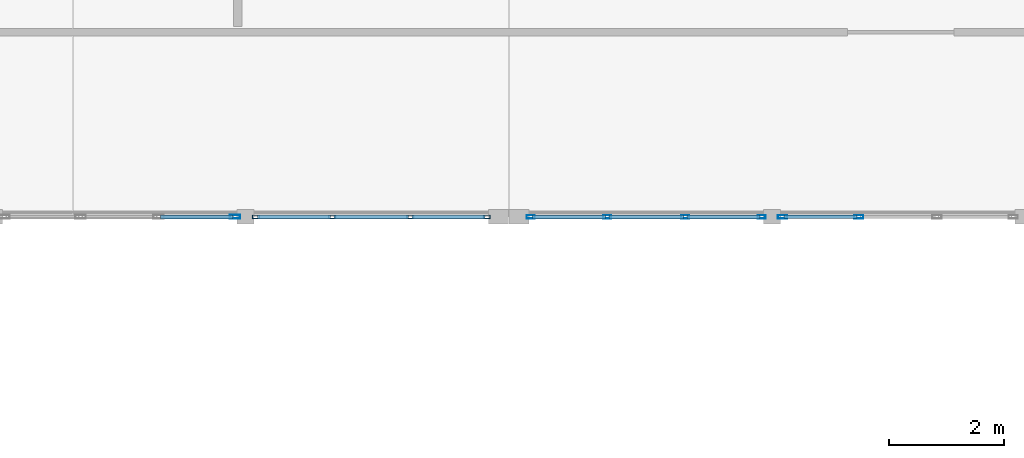
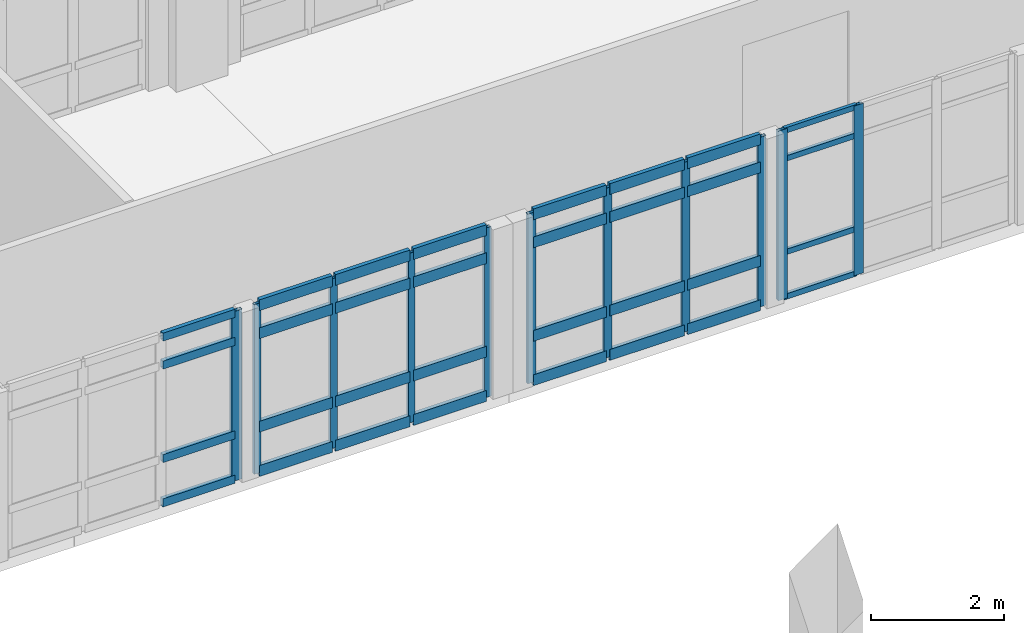
# One storey, part 14 of 37: 43 members, 4 elements without a shape of their own.
"""IFC4 building model written with IfcOpenShell, lengths in metres."""

from ifc_helpers import new_model, si_unit, direction, frame, origin, origin_2d, place, context, subcontext, project, spatial, hollow_rectangle, extrude, material, layer, layer_set, material_profile, profile_set, type_object, element, aggregate, save


model = new_model("IFC4")

# Units and contexts
model_context = context("Model", 3, precision=1e-05, world=origin(), true_north=direction((0.0, 1.0)))
body_context = subcontext(model_context, "Body", "Model", "MODEL_VIEW")
ifc_project = project(units=[si_unit("LENGTHUNIT", "METRE"), si_unit("AREAUNIT", "SQUARE_METRE"), si_unit("VOLUMEUNIT", "CUBIC_METRE"), si_unit("PLANEANGLEUNIT", "RADIAN"), si_unit("MASSUNIT", "GRAM", prefix="KILO")], contexts=[model_context])

# Site, building, storey
site_placement = place(None, origin())
site = spatial("IfcSite", under=ifc_project, at=site_placement, CompositionType="ELEMENT")
building_placement = place(site_placement, origin())
building = spatial("IfcBuilding", under=site, at=building_placement, Name="Fikremerkos Civic Library", CompositionType="ELEMENT")
storey_placement = place(building_placement, frame((0.0, 0.0, 23.39990234375)))
storey = spatial("IfcBuildingStorey", under=building, at=storey_placement, Name="L05", CompositionType="ELEMENT", Elevation=23.39990234375)

# Curtain wall, member
ifc_material = material(Name="Anodized aluminium Frame", Category="aluminium")
ifc_layer_1 = layer(ifc_material, 0.159912109375, Name="Anodized aluminium Frame")
ifc_layer_set_1 = layer_set([ifc_layer_1], Name="Anodized aluminium Frame")
curtain_wall_type_1 = type_object("IfcCurtainWallType", Name="Unitised curtain wall CW-17 4600x3600", PredefinedType="USERDEFINED", material=ifc_layer_set_1)
curtain_wall_1_placement = place(storey_placement, origin())
curtain_wall_1 = element("IfcCurtainWall", 1, at=curtain_wall_1_placement, inside=storey, type_object=curtain_wall_type_1, Name="Unitised curtain wall CW-17 L05 #287", ObjectType="UNITISED CURTAIN WALL", PredefinedType="USERDEFINED")
ifc_material_profile_1 = material_profile(ifc_material, hollow_rectangle(XDim=0.06494140625, YDim=0.179931640625, WallThickness=0.00439453125, at=origin_2d()), Name="ALU 180x65x4.5")
ifc_profile_set_1 = profile_set([ifc_material_profile_1], Name="Anodized aluminium Frame")
member_type_1 = type_object("IfcMemberType", Name="Curtain mullion CWM-01 ALU 180x65x4.5", PredefinedType="MULLION", material=ifc_profile_set_1)
member_1_placement = place(storey_placement, frame((81.9501953125, 21.60009765625, 0.0), z_axis=(0.0, 0.0, 1.0), x_axis=(0.0, -1.0, 0.0)))
member_1 = element("IfcMember", 2, at=member_1_placement, type_object=member_type_1, Name="CW-17 mullion 1", PredefinedType="MULLION", context=body_context, shape_type="SweptSolid", body=[
    extrude(hollow_rectangle(XDim=0.06494140625, YDim=0.179931640625, WallThickness=0.00439453125, at=origin_2d()), origin(), (0.0, 0.0, 1.0), 3.1201171875),
])

# Curtain wall, members
ifc_layer_2 = layer(ifc_material, 0.159912109375, Name="Anodized aluminium Frame")
ifc_layer_set_2 = layer_set([ifc_layer_2], Name="Anodized aluminium Frame")
curtain_wall_type_2 = type_object("IfcCurtainWallType", Name="Unitised curtain wall CW-14 4100x3200", PredefinedType="USERDEFINED", material=ifc_layer_set_2)
curtain_wall_2_placement = place(storey_placement, origin())
curtain_wall_2 = element("IfcCurtainWall", 3, at=curtain_wall_2_placement, inside=storey, type_object=curtain_wall_type_2, Name="Unitised curtain wall CW-14 L05 #284", ObjectType="UNITISED CURTAIN WALL", PredefinedType="USERDEFINED")
ifc_material_profile_2 = material_profile(ifc_material, hollow_rectangle(XDim=0.06005859375, YDim=0.159912109375, WallThickness=0.00390625, at=origin_2d()), Name="ALU 160x60x4")
ifc_profile_set_2 = profile_set([ifc_material_profile_2], Name="Anodized aluminium Frame")
member_type_2 = type_object("IfcMemberType", Name="Curtain mullion CWM-02 ALU 160x60x4", PredefinedType="MULLION", material=ifc_profile_set_2)
member_2_placement = place(storey_placement, frame((92.7724609375, 21.60009765625, 0.0), z_axis=(0.0, 0.0, 1.0), x_axis=(0.0, -1.0, 0.0)))
member_2 = element("IfcMember", 4, at=member_2_placement, type_object=member_type_2, Name="CW-14 mullion 3", PredefinedType="MULLION", context=body_context, shape_type="SweptSolid", body=[
    extrude(hollow_rectangle(XDim=0.06005859375, YDim=0.159912109375, WallThickness=0.00390625, at=origin_2d()), origin(), (0.0, 0.0, 1.0), 3.1201171875),
])
member_3_placement = place(storey_placement, frame((91.447265625, 21.60009765625, 0.0), z_axis=(0.0, 0.0, 1.0), x_axis=(0.0, -1.0, 0.0)))
member_3 = element("IfcMember", 5, at=member_3_placement, type_object=member_type_2, Name="CW-14 mullion 4", PredefinedType="MULLION", context=body_context, shape_type="SweptSolid", body=[
    extrude(hollow_rectangle(XDim=0.06005859375, YDim=0.159912109375, WallThickness=0.00390625, at=origin_2d()), origin(), (0.0, 0.0, 1.0), 3.1201171875),
])

ifc_layer_3 = layer(ifc_material, 0.159912109375, Name="Anodized aluminium Frame")
ifc_layer_set_3 = layer_set([ifc_layer_3], Name="Anodized aluminium Frame")
curtain_wall_type_3 = type_object("IfcCurtainWallType", Name="Unitised curtain wall CW-15 2900x3600", PredefinedType="USERDEFINED", material=ifc_layer_set_3)
curtain_wall_3_placement = place(storey_placement, origin())
curtain_wall_3 = element("IfcCurtainWall", 6, at=curtain_wall_3_placement, inside=storey, type_object=curtain_wall_type_3, Name="Unitised curtain wall CW-15 L05 #285", ObjectType="UNITISED CURTAIN WALL", PredefinedType="USERDEFINED")
ifc_material_profile_3 = material_profile(ifc_material, hollow_rectangle(XDim=0.06005859375, YDim=0.139892578125, WallThickness=0.00390625, at=origin_2d()), Name="ALU 140x60x4")
ifc_profile_set_3 = profile_set([ifc_material_profile_3], Name="Anodized aluminium Frame")
member_type_3 = type_object("IfcMemberType", Name="Curtain mullion CWM-03 ALU 140x60x4", PredefinedType="MULLION", material=ifc_profile_set_3)
member_4_placement = place(storey_placement, frame((91.08740234375, 21.60009765625, 0.0), z_axis=(0.0, 0.0, 1.0), x_axis=(0.0, -1.0, 0.0)))
member_4 = element("IfcMember", 7, at=member_4_placement, type_object=member_type_3, Name="CW-15 mullion 1", PredefinedType="MULLION", context=body_context, shape_type="SweptSolid", body=[
    extrude(hollow_rectangle(XDim=0.06005859375, YDim=0.139892578125, WallThickness=0.00390625, at=origin_2d()), origin(), (0.0, 0.0, 1.0), 3.1201171875),
])
member_5_placement = place(storey_placement, frame((89.76220703125, 21.60009765625, 0.0), z_axis=(0.0, 0.0, 1.0), x_axis=(0.0, -1.0, 0.0)))
member_5 = element("IfcMember", 8, at=member_5_placement, type_object=member_type_3, Name="CW-15 mullion 2", PredefinedType="MULLION", context=body_context, shape_type="SweptSolid", body=[
    extrude(hollow_rectangle(XDim=0.06005859375, YDim=0.139892578125, WallThickness=0.00390625, at=origin_2d()), origin(), (0.0, 0.0, 1.0), 3.1201171875),
])
member_6_placement = place(storey_placement, frame((88.4072265625, 21.60009765625, 0.0), z_axis=(0.0, 0.0, 1.0), x_axis=(0.0, -1.0, 0.0)))
member_6 = element("IfcMember", 9, at=member_6_placement, type_object=member_type_3, Name="CW-15 mullion 3", PredefinedType="MULLION", context=body_context, shape_type="SweptSolid", body=[
    extrude(hollow_rectangle(XDim=0.06005859375, YDim=0.139892578125, WallThickness=0.00390625, at=origin_2d()), origin(), (0.0, 0.0, 1.0), 3.1201171875),
])
member_7_placement = place(storey_placement, frame((87.08203125, 21.60009765625, 0.0), z_axis=(0.0, 0.0, 1.0), x_axis=(0.0, -1.0, 0.0)))
member_7 = element("IfcMember", 10, at=member_7_placement, type_object=member_type_3, Name="CW-15 mullion 4", PredefinedType="MULLION", context=body_context, shape_type="SweptSolid", body=[
    extrude(hollow_rectangle(XDim=0.06005859375, YDim=0.139892578125, WallThickness=0.00390625, at=origin_2d()), origin(), (0.0, 0.0, 1.0), 3.1201171875),
])

ifc_layer_4 = layer(ifc_material, 0.159912109375, Name="Anodized aluminium Frame")
ifc_layer_set_4 = layer_set([ifc_layer_4], Name="Anodized aluminium Frame")
curtain_wall_type_4 = type_object("IfcCurtainWallType", Name="Unitised curtain wall CW-16 3100x4100", PredefinedType="USERDEFINED", material=ifc_layer_set_4)
curtain_wall_4_placement = place(storey_placement, origin())
curtain_wall_4 = element("IfcCurtainWall", 11, at=curtain_wall_4_placement, inside=storey, type_object=curtain_wall_type_4, Name="Unitised curtain wall CW-16 L05 #286", ObjectType="UNITISED CURTAIN WALL", PredefinedType="USERDEFINED")
ifc_material_profile_4 = material_profile(ifc_material, hollow_rectangle(XDim=0.06005859375, YDim=0.1201171875, WallThickness=0.00390625, at=origin_2d()), Name="ALU 120x60x4")
ifc_profile_set_4 = profile_set([ifc_material_profile_4], Name="Anodized aluminium Frame")
member_type_4 = type_object("IfcMemberType", Name="Curtain mullion CWM-04 ALU 120x60x4", PredefinedType="MULLION", material=ifc_profile_set_4)
member_8_placement = place(storey_placement, frame((86.318115234375, 21.60009765625, 0.0), z_axis=(0.0, 0.0, 1.0), x_axis=(0.0, -1.0, 0.0)))
member_8 = element("IfcMember", 12, at=member_8_placement, type_object=member_type_4, Name="CW-16 mullion 1", PredefinedType="MULLION", context=body_context, shape_type="SweptSolid", body=[
    extrude(hollow_rectangle(XDim=0.06005859375, YDim=0.1201171875, WallThickness=0.00390625, at=origin_2d()), origin(), (0.0, 0.0, 1.0), 3.1201171875),
])
member_9_placement = place(storey_placement, frame((84.992919921875, 21.60009765625, 0.0), z_axis=(0.0, 0.0, 1.0), x_axis=(0.0, -1.0, 0.0)))
member_9 = element("IfcMember", 13, at=member_9_placement, type_object=member_type_4, Name="CW-16 mullion 2", PredefinedType="MULLION", context=body_context, shape_type="SweptSolid", body=[
    extrude(hollow_rectangle(XDim=0.06005859375, YDim=0.1201171875, WallThickness=0.00390625, at=origin_2d()), origin(), (0.0, 0.0, 1.0), 3.1201171875),
])
member_10_placement = place(storey_placement, frame((83.6376953125, 21.60009765625, 0.0), z_axis=(0.0, 0.0, 1.0), x_axis=(0.0, -1.0, 0.0)))
member_10 = element("IfcMember", 14, at=member_10_placement, type_object=member_type_4, Name="CW-16 mullion 3", PredefinedType="MULLION", context=body_context, shape_type="SweptSolid", body=[
    extrude(hollow_rectangle(XDim=0.06005859375, YDim=0.1201171875, WallThickness=0.00390625, at=origin_2d()), origin(), (0.0, 0.0, 1.0), 3.1201171875),
])
member_11_placement = place(storey_placement, frame((82.312744140625, 21.60009765625, 0.0), z_axis=(0.0, 0.0, 1.0), x_axis=(0.0, -1.0, 0.0)))
member_11 = element("IfcMember", 15, at=member_11_placement, type_object=member_type_4, Name="CW-16 mullion 4", PredefinedType="MULLION", context=body_context, shape_type="SweptSolid", body=[
    extrude(hollow_rectangle(XDim=0.06005859375, YDim=0.1201171875, WallThickness=0.00390625, at=origin_2d()), origin(), (0.0, 0.0, 1.0), 3.1201171875),
])

# Member
ifc_material_profile_5 = material_profile(ifc_material, hollow_rectangle(XDim=0.070068359375, YDim=0.14990234375, WallThickness=0.00439453125, at=origin_2d()), Name="ALU 150x70x4.5")
ifc_profile_set_5 = profile_set([ifc_material_profile_5], Name="Anodized aluminium Frame")
member_type_5 = type_object("IfcMemberType", Name="Curtain transom CWT-01 ALU 150x70x4.5", PredefinedType="USERDEFINED", material=ifc_profile_set_5)
member_12_placement = place(storey_placement, frame((81.917724609375, 21.60009765625, 0.03515625), z_axis=(-1.0, 0.0, 0.0), x_axis=(0.0, -1.0, 0.0)))
member_12 = element("IfcMember", 16, at=member_12_placement, type_object=member_type_5, Name="CW-17 transom 1.1", ObjectType="TRANSOM", PredefinedType="USERDEFINED", context=body_context, shape_type="SweptSolid", body=[
    extrude(hollow_rectangle(XDim=0.070068359375, YDim=0.14990234375, WallThickness=0.00439453125, at=origin_2d()), origin(), (0.0, 0.0, 1.0), 1.257568359375),
])

member_13_placement = place(storey_placement, frame((81.917724609375, 21.60009765625, 0.85009765625), z_axis=(-1.0, 0.0, 0.0), x_axis=(0.0, -1.0, 0.0)))
member_13 = element("IfcMember", 17, at=member_13_placement, type_object=member_type_5, Name="CW-17 transom 1.2", ObjectType="TRANSOM", PredefinedType="USERDEFINED", context=body_context, shape_type="SweptSolid", body=[
    extrude(hollow_rectangle(XDim=0.070068359375, YDim=0.14990234375, WallThickness=0.00439453125, at=origin_2d()), origin(), (0.0, 0.0, 1.0), 1.257568359375),
])

member_14_placement = place(storey_placement, frame((81.917724609375, 21.60009765625, 2.570068359375), z_axis=(-1.0, 0.0, 0.0), x_axis=(0.0, -1.0, 0.0)))
member_14 = element("IfcMember", 18, at=member_14_placement, type_object=member_type_5, Name="CW-17 transom 1.3", ObjectType="TRANSOM", PredefinedType="USERDEFINED", context=body_context, shape_type="SweptSolid", body=[
    extrude(hollow_rectangle(XDim=0.070068359375, YDim=0.14990234375, WallThickness=0.00439453125, at=origin_2d()), origin(), (0.0, 0.0, 1.0), 1.257568359375),
])

member_15_placement = place(storey_placement, frame((81.917724609375, 21.60009765625, 3.085205078125), z_axis=(-1.0, 0.0, 0.0), x_axis=(0.0, -1.0, 0.0)))
member_15 = element("IfcMember", 19, at=member_15_placement, type_object=member_type_5, Name="CW-17 transom 1.4", ObjectType="TRANSOM", PredefinedType="USERDEFINED", context=body_context, shape_type="SweptSolid", body=[
    extrude(hollow_rectangle(XDim=0.070068359375, YDim=0.14990234375, WallThickness=0.00439453125, at=origin_2d()), origin(), (0.0, 0.0, 1.0), 1.257568359375),
])

aggregate(curtain_wall_1, [member_1, member_12, member_13, member_14, member_15])

ifc_material_profile_6 = material_profile(ifc_material, hollow_rectangle(XDim=0.06005859375, YDim=0.10009765625, WallThickness=0.00390625, at=origin_2d()), Name="ALU 100x60x4")
ifc_profile_set_6 = profile_set([ifc_material_profile_6], Name="Anodized aluminium Frame")
member_type_6 = type_object("IfcMemberType", Name="Curtain transom CWT-03 ALU 100x60x4", PredefinedType="USERDEFINED", material=ifc_profile_set_6)
member_16_placement = place(storey_placement, frame((92.742431640625, 21.60009765625, 0.030029296875), z_axis=(-1.0, 0.0, 0.0), x_axis=(0.0, -1.0, 0.0)))
member_16 = element("IfcMember", 20, at=member_16_placement, type_object=member_type_6, Name="CW-14 transom 3.1", ObjectType="TRANSOM", PredefinedType="USERDEFINED", context=body_context, shape_type="SweptSolid", body=[
    extrude(hollow_rectangle(XDim=0.06005859375, YDim=0.10009765625, WallThickness=0.00390625, at=origin_2d()), origin(), (0.0, 0.0, 1.0), 1.26513671875),
])

member_17_placement = place(storey_placement, frame((92.742431640625, 21.60009765625, 0.85009765625), z_axis=(-1.0, 0.0, 0.0), x_axis=(0.0, -1.0, 0.0)))
member_17 = element("IfcMember", 21, at=member_17_placement, type_object=member_type_6, Name="CW-14 transom 3.2", ObjectType="TRANSOM", PredefinedType="USERDEFINED", context=body_context, shape_type="SweptSolid", body=[
    extrude(hollow_rectangle(XDim=0.06005859375, YDim=0.10009765625, WallThickness=0.00390625, at=origin_2d()), origin(), (0.0, 0.0, 1.0), 1.26513671875),
])

member_18_placement = place(storey_placement, frame((92.742431640625, 21.60009765625, 2.570068359375), z_axis=(-1.0, 0.0, 0.0), x_axis=(0.0, -1.0, 0.0)))
member_18 = element("IfcMember", 22, at=member_18_placement, type_object=member_type_6, Name="CW-14 transom 3.3", ObjectType="TRANSOM", PredefinedType="USERDEFINED", context=body_context, shape_type="SweptSolid", body=[
    extrude(hollow_rectangle(XDim=0.06005859375, YDim=0.10009765625, WallThickness=0.00390625, at=origin_2d()), origin(), (0.0, 0.0, 1.0), 1.26513671875),
])

member_19_placement = place(storey_placement, frame((92.742431640625, 21.60009765625, 3.090087890625), z_axis=(-1.0, 0.0, 0.0), x_axis=(0.0, -1.0, 0.0)))
member_19 = element("IfcMember", 23, at=member_19_placement, type_object=member_type_6, Name="CW-14 transom 3.4", ObjectType="TRANSOM", PredefinedType="USERDEFINED", context=body_context, shape_type="SweptSolid", body=[
    extrude(hollow_rectangle(XDim=0.06005859375, YDim=0.10009765625, WallThickness=0.00390625, at=origin_2d()), origin(), (0.0, 0.0, 1.0), 1.26513671875),
])

aggregate(curtain_wall_2, [member_2, member_3, member_16, member_17, member_18, member_19])

ifc_material_profile_7 = material_profile(ifc_material, hollow_rectangle(XDim=0.070068359375, YDim=0.199951171875, WallThickness=0.0048828125, at=origin_2d()), Name="ALU 200x70x5")
ifc_profile_set_7 = profile_set([ifc_material_profile_7], Name="Anodized aluminium Frame")
member_type_7 = type_object("IfcMemberType", Name="Curtain transom CWT-04 ALU 200x70x5", PredefinedType="USERDEFINED", material=ifc_profile_set_7)
member_20_placement = place(storey_placement, frame((91.057373046875, 21.60009765625, 0.03515625), z_axis=(-1.0, 0.0, 0.0), x_axis=(0.0, -1.0, 0.0)))
member_20 = element("IfcMember", 24, at=member_20_placement, type_object=member_type_7, Name="CW-15 transom 1.1", ObjectType="TRANSOM", PredefinedType="USERDEFINED", context=body_context, shape_type="SweptSolid", body=[
    extrude(hollow_rectangle(XDim=0.070068359375, YDim=0.199951171875, WallThickness=0.0048828125, at=origin_2d()), origin(), (0.0, 0.0, 1.0), 1.26513671875),
])

member_21_placement = place(storey_placement, frame((91.057373046875, 21.60009765625, 0.85009765625), z_axis=(-1.0, 0.0, 0.0), x_axis=(0.0, -1.0, 0.0)))
member_21 = element("IfcMember", 25, at=member_21_placement, type_object=member_type_7, Name="CW-15 transom 1.2", ObjectType="TRANSOM", PredefinedType="USERDEFINED", context=body_context, shape_type="SweptSolid", body=[
    extrude(hollow_rectangle(XDim=0.070068359375, YDim=0.199951171875, WallThickness=0.0048828125, at=origin_2d()), origin(), (0.0, 0.0, 1.0), 1.26513671875),
])

member_22_placement = place(storey_placement, frame((91.057373046875, 21.60009765625, 2.570068359375), z_axis=(-1.0, 0.0, 0.0), x_axis=(0.0, -1.0, 0.0)))
member_22 = element("IfcMember", 26, at=member_22_placement, type_object=member_type_7, Name="CW-15 transom 1.3", ObjectType="TRANSOM", PredefinedType="USERDEFINED", context=body_context, shape_type="SweptSolid", body=[
    extrude(hollow_rectangle(XDim=0.070068359375, YDim=0.199951171875, WallThickness=0.0048828125, at=origin_2d()), origin(), (0.0, 0.0, 1.0), 1.26513671875),
])

member_23_placement = place(storey_placement, frame((91.057373046875, 21.60009765625, 3.085205078125), z_axis=(-1.0, 0.0, 0.0), x_axis=(0.0, -1.0, 0.0)))
member_23 = element("IfcMember", 27, at=member_23_placement, type_object=member_type_7, Name="CW-15 transom 1.4", ObjectType="TRANSOM", PredefinedType="USERDEFINED", context=body_context, shape_type="SweptSolid", body=[
    extrude(hollow_rectangle(XDim=0.070068359375, YDim=0.199951171875, WallThickness=0.0048828125, at=origin_2d()), origin(), (0.0, 0.0, 1.0), 1.26513671875),
])

member_24_placement = place(storey_placement, frame((89.732177734375, 21.60009765625, 0.03515625), z_axis=(-1.0, 0.0, 0.0), x_axis=(0.0, -1.0, 0.0)))
member_24 = element("IfcMember", 28, at=member_24_placement, type_object=member_type_7, Name="CW-15 transom 2.1", ObjectType="TRANSOM", PredefinedType="USERDEFINED", context=body_context, shape_type="SweptSolid", body=[
    extrude(hollow_rectangle(XDim=0.070068359375, YDim=0.199951171875, WallThickness=0.0048828125, at=origin_2d()), origin(), (0.0, 0.0, 1.0), 1.295166015625),
])

member_25_placement = place(storey_placement, frame((89.732177734375, 21.60009765625, 0.85009765625), z_axis=(-1.0, 0.0, 0.0), x_axis=(0.0, -1.0, 0.0)))
member_25 = element("IfcMember", 29, at=member_25_placement, type_object=member_type_7, Name="CW-15 transom 2.2", ObjectType="TRANSOM", PredefinedType="USERDEFINED", context=body_context, shape_type="SweptSolid", body=[
    extrude(hollow_rectangle(XDim=0.070068359375, YDim=0.199951171875, WallThickness=0.0048828125, at=origin_2d()), origin(), (0.0, 0.0, 1.0), 1.295166015625),
])

member_26_placement = place(storey_placement, frame((89.732177734375, 21.60009765625, 2.570068359375), z_axis=(-1.0, 0.0, 0.0), x_axis=(0.0, -1.0, 0.0)))
member_26 = element("IfcMember", 30, at=member_26_placement, type_object=member_type_7, Name="CW-15 transom 2.3", ObjectType="TRANSOM", PredefinedType="USERDEFINED", context=body_context, shape_type="SweptSolid", body=[
    extrude(hollow_rectangle(XDim=0.070068359375, YDim=0.199951171875, WallThickness=0.0048828125, at=origin_2d()), origin(), (0.0, 0.0, 1.0), 1.295166015625),
])

member_27_placement = place(storey_placement, frame((89.732177734375, 21.60009765625, 3.085205078125), z_axis=(-1.0, 0.0, 0.0), x_axis=(0.0, -1.0, 0.0)))
member_27 = element("IfcMember", 31, at=member_27_placement, type_object=member_type_7, Name="CW-15 transom 2.4", ObjectType="TRANSOM", PredefinedType="USERDEFINED", context=body_context, shape_type="SweptSolid", body=[
    extrude(hollow_rectangle(XDim=0.070068359375, YDim=0.199951171875, WallThickness=0.0048828125, at=origin_2d()), origin(), (0.0, 0.0, 1.0), 1.295166015625),
])

member_28_placement = place(storey_placement, frame((88.377197265625, 21.60009765625, 0.03515625), z_axis=(-1.0, 0.0, 0.0), x_axis=(0.0, -1.0, 0.0)))
member_28 = element("IfcMember", 32, at=member_28_placement, type_object=member_type_7, Name="CW-15 transom 3.1", ObjectType="TRANSOM", PredefinedType="USERDEFINED", context=body_context, shape_type="SweptSolid", body=[
    extrude(hollow_rectangle(XDim=0.070068359375, YDim=0.199951171875, WallThickness=0.0048828125, at=origin_2d()), origin(), (0.0, 0.0, 1.0), 1.26513671875),
])

member_29_placement = place(storey_placement, frame((88.377197265625, 21.60009765625, 0.85009765625), z_axis=(-1.0, 0.0, 0.0), x_axis=(0.0, -1.0, 0.0)))
member_29 = element("IfcMember", 33, at=member_29_placement, type_object=member_type_7, Name="CW-15 transom 3.2", ObjectType="TRANSOM", PredefinedType="USERDEFINED", context=body_context, shape_type="SweptSolid", body=[
    extrude(hollow_rectangle(XDim=0.070068359375, YDim=0.199951171875, WallThickness=0.0048828125, at=origin_2d()), origin(), (0.0, 0.0, 1.0), 1.26513671875),
])

member_30_placement = place(storey_placement, frame((88.377197265625, 21.60009765625, 2.570068359375), z_axis=(-1.0, 0.0, 0.0), x_axis=(0.0, -1.0, 0.0)))
member_30 = element("IfcMember", 34, at=member_30_placement, type_object=member_type_7, Name="CW-15 transom 3.3", ObjectType="TRANSOM", PredefinedType="USERDEFINED", context=body_context, shape_type="SweptSolid", body=[
    extrude(hollow_rectangle(XDim=0.070068359375, YDim=0.199951171875, WallThickness=0.0048828125, at=origin_2d()), origin(), (0.0, 0.0, 1.0), 1.26513671875),
])

member_31_placement = place(storey_placement, frame((88.377197265625, 21.60009765625, 3.085205078125), z_axis=(-1.0, 0.0, 0.0), x_axis=(0.0, -1.0, 0.0)))
member_31 = element("IfcMember", 35, at=member_31_placement, type_object=member_type_7, Name="CW-15 transom 3.4", ObjectType="TRANSOM", PredefinedType="USERDEFINED", context=body_context, shape_type="SweptSolid", body=[
    extrude(hollow_rectangle(XDim=0.070068359375, YDim=0.199951171875, WallThickness=0.0048828125, at=origin_2d()), origin(), (0.0, 0.0, 1.0), 1.26513671875),
])

aggregate(curtain_wall_3, [member_4, member_5, member_6, member_7, member_20, member_21, member_22, member_23, member_24, member_25, member_26, member_27, member_28, member_29, member_30, member_31])

member_32_placement = place(storey_placement, frame((86.2880859375, 21.60009765625, 0.03515625), z_axis=(-1.0, 0.0, 0.0), x_axis=(0.0, -1.0, 0.0)))
member_32 = element("IfcMember", 36, at=member_32_placement, type_object=member_type_7, Name="CW-16 transom 1.1", ObjectType="TRANSOM", PredefinedType="USERDEFINED", context=body_context, shape_type="SweptSolid", body=[
    extrude(hollow_rectangle(XDim=0.070068359375, YDim=0.199951171875, WallThickness=0.0048828125, at=origin_2d()), origin(), (0.0, 0.0, 1.0), 1.26513671875),
])

member_33_placement = place(storey_placement, frame((86.2880859375, 21.60009765625, 0.85009765625), z_axis=(-1.0, 0.0, 0.0), x_axis=(0.0, -1.0, 0.0)))
member_33 = element("IfcMember", 37, at=member_33_placement, type_object=member_type_7, Name="CW-16 transom 1.2", ObjectType="TRANSOM", PredefinedType="USERDEFINED", context=body_context, shape_type="SweptSolid", body=[
    extrude(hollow_rectangle(XDim=0.070068359375, YDim=0.199951171875, WallThickness=0.0048828125, at=origin_2d()), origin(), (0.0, 0.0, 1.0), 1.26513671875),
])

member_34_placement = place(storey_placement, frame((86.2880859375, 21.60009765625, 2.570068359375), z_axis=(-1.0, 0.0, 0.0), x_axis=(0.0, -1.0, 0.0)))
member_34 = element("IfcMember", 38, at=member_34_placement, type_object=member_type_7, Name="CW-16 transom 1.3", ObjectType="TRANSOM", PredefinedType="USERDEFINED", context=body_context, shape_type="SweptSolid", body=[
    extrude(hollow_rectangle(XDim=0.070068359375, YDim=0.199951171875, WallThickness=0.0048828125, at=origin_2d()), origin(), (0.0, 0.0, 1.0), 1.26513671875),
])

member_35_placement = place(storey_placement, frame((86.2880859375, 21.60009765625, 3.085205078125), z_axis=(-1.0, 0.0, 0.0), x_axis=(0.0, -1.0, 0.0)))
member_35 = element("IfcMember", 39, at=member_35_placement, type_object=member_type_7, Name="CW-16 transom 1.4", ObjectType="TRANSOM", PredefinedType="USERDEFINED", context=body_context, shape_type="SweptSolid", body=[
    extrude(hollow_rectangle(XDim=0.070068359375, YDim=0.199951171875, WallThickness=0.0048828125, at=origin_2d()), origin(), (0.0, 0.0, 1.0), 1.26513671875),
])

member_36_placement = place(storey_placement, frame((84.962890625, 21.60009765625, 0.03515625), z_axis=(-1.0, 0.0, 0.0), x_axis=(0.0, -1.0, 0.0)))
member_36 = element("IfcMember", 40, at=member_36_placement, type_object=member_type_7, Name="CW-16 transom 2.1", ObjectType="TRANSOM", PredefinedType="USERDEFINED", context=body_context, shape_type="SweptSolid", body=[
    extrude(hollow_rectangle(XDim=0.070068359375, YDim=0.199951171875, WallThickness=0.0048828125, at=origin_2d()), origin(), (0.0, 0.0, 1.0), 1.295166015625),
])

member_37_placement = place(storey_placement, frame((84.962890625, 21.60009765625, 0.85009765625), z_axis=(-1.0, 0.0, 0.0), x_axis=(0.0, -1.0, 0.0)))
member_37 = element("IfcMember", 41, at=member_37_placement, type_object=member_type_7, Name="CW-16 transom 2.2", ObjectType="TRANSOM", PredefinedType="USERDEFINED", context=body_context, shape_type="SweptSolid", body=[
    extrude(hollow_rectangle(XDim=0.070068359375, YDim=0.199951171875, WallThickness=0.0048828125, at=origin_2d()), origin(), (0.0, 0.0, 1.0), 1.295166015625),
])

member_38_placement = place(storey_placement, frame((84.962890625, 21.60009765625, 2.570068359375), z_axis=(-1.0, 0.0, 0.0), x_axis=(0.0, -1.0, 0.0)))
member_38 = element("IfcMember", 42, at=member_38_placement, type_object=member_type_7, Name="CW-16 transom 2.3", ObjectType="TRANSOM", PredefinedType="USERDEFINED", context=body_context, shape_type="SweptSolid", body=[
    extrude(hollow_rectangle(XDim=0.070068359375, YDim=0.199951171875, WallThickness=0.0048828125, at=origin_2d()), origin(), (0.0, 0.0, 1.0), 1.295166015625),
])

member_39_placement = place(storey_placement, frame((84.962890625, 21.60009765625, 3.085205078125), z_axis=(-1.0, 0.0, 0.0), x_axis=(0.0, -1.0, 0.0)))
member_39 = element("IfcMember", 43, at=member_39_placement, type_object=member_type_7, Name="CW-16 transom 2.4", ObjectType="TRANSOM", PredefinedType="USERDEFINED", context=body_context, shape_type="SweptSolid", body=[
    extrude(hollow_rectangle(XDim=0.070068359375, YDim=0.199951171875, WallThickness=0.0048828125, at=origin_2d()), origin(), (0.0, 0.0, 1.0), 1.295166015625),
])

member_40_placement = place(storey_placement, frame((83.607666015625, 21.60009765625, 0.03515625), z_axis=(-1.0, 0.0, 0.0), x_axis=(0.0, -1.0, 0.0)))
member_40 = element("IfcMember", 44, at=member_40_placement, type_object=member_type_7, Name="CW-16 transom 3.1", ObjectType="TRANSOM", PredefinedType="USERDEFINED", context=body_context, shape_type="SweptSolid", body=[
    extrude(hollow_rectangle(XDim=0.070068359375, YDim=0.199951171875, WallThickness=0.0048828125, at=origin_2d()), origin(), (0.0, 0.0, 1.0), 1.264892578125),
])

member_41_placement = place(storey_placement, frame((83.607666015625, 21.60009765625, 0.85009765625), z_axis=(-1.0, 0.0, 0.0), x_axis=(0.0, -1.0, 0.0)))
member_41 = element("IfcMember", 45, at=member_41_placement, type_object=member_type_7, Name="CW-16 transom 3.2", ObjectType="TRANSOM", PredefinedType="USERDEFINED", context=body_context, shape_type="SweptSolid", body=[
    extrude(hollow_rectangle(XDim=0.070068359375, YDim=0.199951171875, WallThickness=0.0048828125, at=origin_2d()), origin(), (0.0, 0.0, 1.0), 1.264892578125),
])

member_42_placement = place(storey_placement, frame((83.607666015625, 21.60009765625, 2.570068359375), z_axis=(-1.0, 0.0, 0.0), x_axis=(0.0, -1.0, 0.0)))
member_42 = element("IfcMember", 46, at=member_42_placement, type_object=member_type_7, Name="CW-16 transom 3.3", ObjectType="TRANSOM", PredefinedType="USERDEFINED", context=body_context, shape_type="SweptSolid", body=[
    extrude(hollow_rectangle(XDim=0.070068359375, YDim=0.199951171875, WallThickness=0.0048828125, at=origin_2d()), origin(), (0.0, 0.0, 1.0), 1.264892578125),
])

member_43_placement = place(storey_placement, frame((83.607666015625, 21.60009765625, 3.085205078125), z_axis=(-1.0, 0.0, 0.0), x_axis=(0.0, -1.0, 0.0)))
member_43 = element("IfcMember", 47, at=member_43_placement, type_object=member_type_7, Name="CW-16 transom 3.4", ObjectType="TRANSOM", PredefinedType="USERDEFINED", context=body_context, shape_type="SweptSolid", body=[
    extrude(hollow_rectangle(XDim=0.070068359375, YDim=0.199951171875, WallThickness=0.0048828125, at=origin_2d()), origin(), (0.0, 0.0, 1.0), 1.264892578125),
])

aggregate(curtain_wall_4, [member_8, member_9, member_10, member_11, member_32, member_33, member_34, member_35, member_36, member_37, member_38, member_39, member_40, member_41, member_42, member_43])

save(model, "model.ifc")
